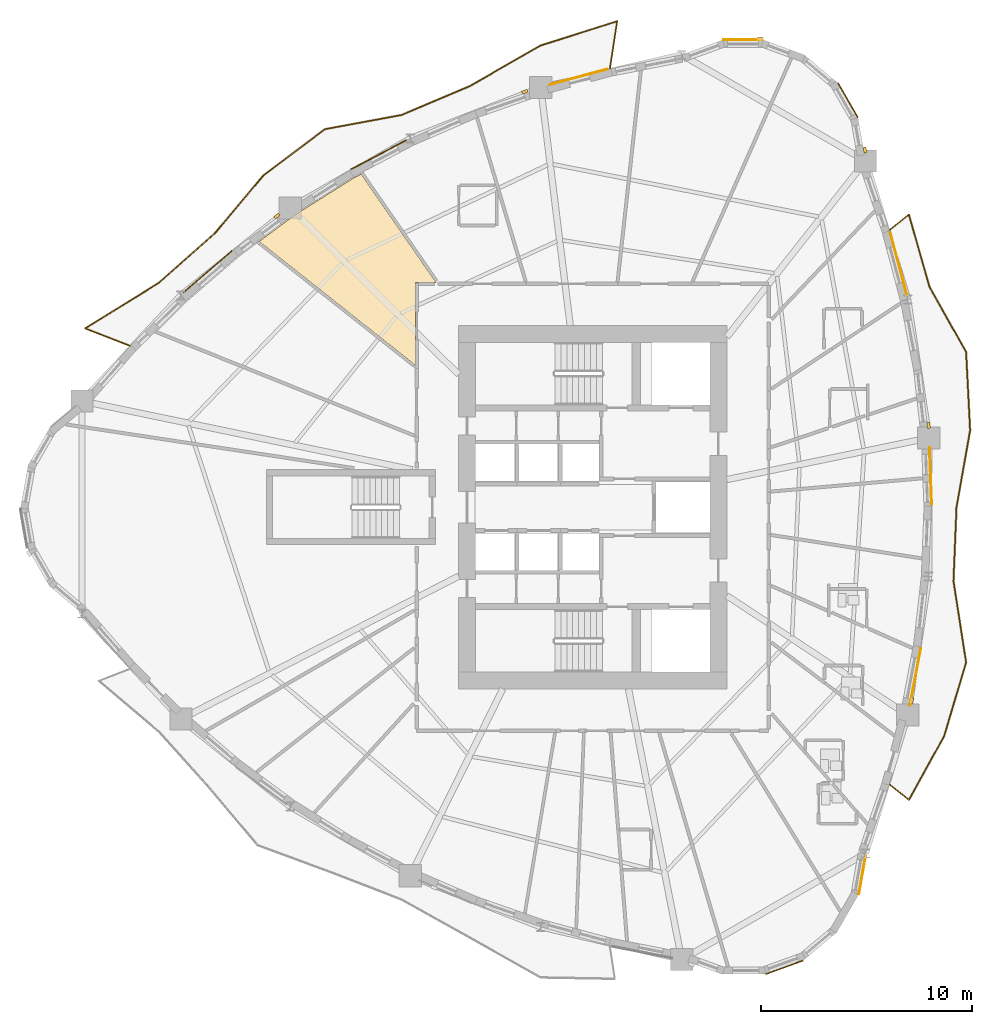
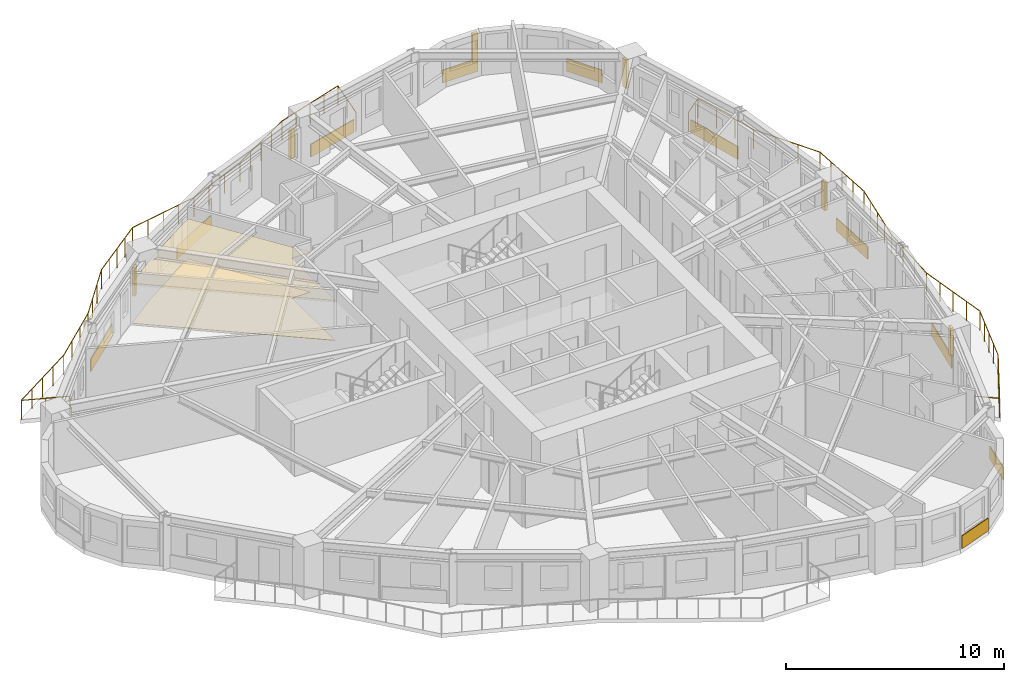
# One storey, part 12 of 13: 12 coverings, 6 shading devices, 2 railings.
"""IFC4 building model written with IfcOpenShell, lengths in metres."""

from ifc_helpers import new_model, si_unit, direction, frame, origin, origin_2d, place, context, subcontext, project, spatial, polyline, rectangle, circle, outline, extrude, source, transform, mapped, material, layer, layer_set, type_object, element, save


model = new_model("IFC4")

# Units and contexts
model_context = context("Model", 3, precision=1e-05, world=origin(), true_north=direction((0.0, 1.0)))
body_context = subcontext(model_context, "Body", "Model", "MODEL_VIEW")
ifc_project = project(units=[si_unit("LENGTHUNIT", "METRE"), si_unit("AREAUNIT", "SQUARE_METRE"), si_unit("VOLUMEUNIT", "CUBIC_METRE"), si_unit("PLANEANGLEUNIT", "RADIAN"), si_unit("MASSUNIT", "GRAM", prefix="KILO")], contexts=[model_context])

# Site, building, storey
site_placement = place(None, origin())
site = spatial("IfcSite", under=ifc_project, at=site_placement, CompositionType="ELEMENT")
building_placement = place(site_placement, origin())
building = spatial("IfcBuilding", under=site, at=building_placement, Name="Qafzar Sky-Pleat Residences", CompositionType="ELEMENT")
storey_placement = place(building_placement, frame((0.0, 0.0, 55.800048828125)))
storey = spatial("IfcBuildingStorey", under=building, at=storey_placement, Name="L16", CompositionType="ELEMENT", Elevation=55.800048828125)

# Coverings
ifc_material_1 = material(Name="Perforated acoustic gypsum board ceiling")
ifc_layer_1 = layer(ifc_material_1, 0.02001953125)
ifc_layer_set_1 = layer_set([ifc_layer_1], Name="Perforated acoustic gypsum board ceiling")
covering_type_1 = type_object("IfcCoveringType", Name="COV-CEIL-ACOUSTIC", PredefinedType="CEILING", material=ifc_layer_set_1)
covering_1_placement = place(storey_placement, frame((0.0, 0.0, 2.239990234375)))
element("IfcCovering", 1, at=covering_1_placement, inside=storey, type_object=covering_type_1, Name="L16 Communal Kitchen Acoustic Ceiling", PredefinedType="CEILING", context=body_context, shape_type="SweptSolid", body=[
    extrude(outline(polyline([(19.01171875, 41.56787109375), (19.388427734375, 41.7666015625), (22.92919921875, 36.639892578125), (21.9599609375, 36.639892578125), (21.9599609375, 32.721435546875), (14.5625, 38.580078125), (16.260986328125, 39.837158203125), (19.01171875, 41.56787109375)])), origin(), (0.0, 0.0, 1.0), 0.02001953125),
])
ifc_material_2 = material(Name="Honed porcelain and Riyadh stone tile flooring", Category="masonry")
ifc_layer_2 = layer(ifc_material_2, 0.02001953125)
ifc_layer_set_2 = layer_set([ifc_layer_2], Name="Honed porcelain and Riyadh stone tile flooring")
covering_type_2 = type_object("IfcCoveringType", Name="COV-FLR-PORCELAIN", PredefinedType="FLOORING", material=ifc_layer_set_2)
covering_2_placement = place(storey_placement, origin())
element("IfcCovering", 2, at=covering_2_placement, inside=storey, type_object=covering_type_2, Name="L16 Communal Kitchen Honed Stone Flooring", PredefinedType="FLOORING", context=body_context, shape_type="SweptSolid", body=[
    extrude(outline(polyline([(19.01171875, 41.56787109375), (19.388427734375, 41.7666015625), (22.92919921875, 36.639892578125), (21.9599609375, 36.639892578125), (21.9599609375, 32.721435546875), (14.5625, 38.580078125), (16.260986328125, 39.837158203125), (19.01171875, 41.56787109375)])), origin(), (0.0, 0.0, 1.0), 0.02001953125),
])

# Shading devices
ifc_material_3 = material(Name="Honed Riyadh limestone solar fin", Category="masonry")
ifc_layer_3 = layer(ifc_material_3, 0.139892578125)
ifc_layer_set_3 = layer_set([ifc_layer_3], Name="Honed Riyadh limestone solar fin")
shading_device_type = type_object("IfcShadingDeviceType", Name="SHD-FIN-STONE", PredefinedType="SHUTTER", material=ifc_layer_set_3)
shared_shape_1 = source(origin(), body_context, "Body", "SweptSolid", [
    extrude(rectangle(XDim=0.139892578125, YDim=0.280029296875, at=origin_2d()), origin(), (0.0, 0.0, 1.0), 1.60009765625),
])
for number, where, z_axis, x_axis, name in (
    (3, (45.45068359375, 16.84619140625, 0.599853515625), (0.0, 0.0, 1.0), (0.982424506662, -0.186660356554, 0.0), "L16 Limestone Solar Fin 25"),
    (4, (46.24951171875, 29.873779296875, 0.599853515625), (0.0, 0.0, 1.0), (0.993563996012, 0.113272175877, 0.0), "L16 Limestone Solar Fin 29"),
    (5, (43.23681640625, 42.9091796875, 0.599853515625), (0.0, 0.0, 1.0), (0.984806040716, 0.173657888303, 0.0), "L16 Limestone Solar Fin 33"),
    (6, (38.267578125, 48.16650390625, 0.599853515625), (0.0, 0.0, 1.0), (0.0, 1.0, 0.0), "L16 Limestone Solar Fin 37"),
    (7, (27.13330078125, 45.665771484375, 0.599853515625), (0.0, 0.0, 1.0), (-0.329566646174, 0.944132313677, 0.0), "L16 Limestone Solar Fin 41"),
    (8, (15.4072265625, 39.78369140625, 0.599853515625), (0.0, 0.0, 1.0), (-0.594881001048, 0.803813781042, 0.0), "L16 Limestone Solar Fin 45"),
):
    element("IfcShadingDevice", number, at=place(storey_placement, frame(where, z_axis=z_axis, x_axis=x_axis)), inside=storey, type_object=shading_device_type, Name=name, PredefinedType="SHUTTER", context=body_context, shape_type="MappedRepresentation", body=[
        mapped(shared_shape_1, transform((0.0, 0.0, 0.0), x_axis=(1.0, 0.0, 0.0), y_axis=(0.0, 1.0, 0.0), z_axis=(0.0, 0.0, 1.0), scale=1.0)),
    ])

# Coverings
ifc_material_4 = material(Name="Honed Riyadh Tuwaiq limestone cladding", Category="masonry")
ifc_layer_4 = layer(ifc_material_4, 0.044921875)
ifc_layer_set_4 = layer_set([ifc_layer_4], Name="Honed Riyadh Tuwaiq limestone cladding")
covering_type_3 = type_object("IfcCoveringType", Name="COV-CLAD-STONE", PredefinedType="CLADDING", material=ifc_layer_set_4)
shared_shape_2 = source(origin(), body_context, "Body", "SweptSolid", [
    extrude(rectangle(XDim=1.88134765625, YDim=0.044921875, at=origin_2d()), origin(), (0.0, 0.0, 1.0), 0.719970703125),
])
for number, where, z_axis, x_axis, name in (
    (9, (42.42822265625, 45.25634765625, 0.02001953125), (0.0, 0.0, 1.0), (-0.499972303345, 0.866041393865, 0.0), "L16 Riyadh Limestone Spandrel Cladding 34"),
    (10, (37.46240234375, 48.123291015625, 0.02001953125), (0.0, 0.0, 1.0), (-1.0, 0.0, 0.0), "L16 Riyadh Limestone Spandrel Cladding 37"),
):
    element("IfcCovering", number, at=place(storey_placement, frame(where, z_axis=z_axis, x_axis=x_axis)), inside=storey, type_object=covering_type_3, Name=name, PredefinedType="CLADDING", context=body_context, shape_type="MappedRepresentation", body=[
        mapped(shared_shape_2, transform((0.0, 0.0, 0.0), x_axis=(1.0, 0.0, 0.0), y_axis=(0.0, 1.0, 0.0), z_axis=(0.0, 0.0, 1.0), scale=1.0)),
    ])
shared_shape_3 = source(origin(), body_context, "Body", "SweptSolid", [
    extrude(rectangle(XDim=1.8291015625, YDim=0.044921875, at=origin_2d()), origin(), (0.0, 0.0, 1.0), 0.719970703125),
])
covering_3_placement = place(storey_placement, frame((43.104248046875, 8.586181640625, 0.02001953125), z_axis=(0.0, 0.0, 1.0), x_axis=(0.17364778674, 0.984807821943, 0.0)))
element("IfcCovering", 11, at=covering_3_placement, inside=storey, type_object=covering_type_3, Name="L16 Riyadh Limestone Spandrel Cladding 22", PredefinedType="CLADDING", context=body_context, shape_type="MappedRepresentation", body=[
    mapped(shared_shape_3, transform((0.0, 0.0, 0.0), x_axis=(1.0, 0.0, 0.0), y_axis=(0.0, 1.0, 0.0), z_axis=(0.0, 0.0, 1.0), scale=1.0)),
])
shared_shape_4 = source(origin(), body_context, "Body", "SweptSolid", [
    extrude(rectangle(XDim=1.881103515625, YDim=0.044921875, at=origin_2d()), origin(), (0.0, 0.0, 1.0), 0.719970703125),
])
covering_4_placement = place(storey_placement, frame((39.423583984375, 4.222412109375, 0.02001953125), z_axis=(0.0, 0.0, 1.0), x_axis=(0.939715179222, 0.34195815817, 0.0)))
element("IfcCovering", 12, at=covering_4_placement, inside=storey, type_object=covering_type_3, Name="L16 Riyadh Limestone Spandrel Cladding 19", PredefinedType="CLADDING", context=body_context, shape_type="MappedRepresentation", body=[
    mapped(shared_shape_4, transform((0.0, 0.0, 0.0), x_axis=(1.0, 0.0, 0.0), y_axis=(0.0, 1.0, 0.0), z_axis=(0.0, 0.0, 1.0), scale=1.0)),
])

# Railings
ifc_material_5 = material(Name="Laminated glass and bronze steel balustrade", Category="steel")
railing_type = type_object("IfcRailingType", Name="RAIL-BAL-1100", PredefinedType="BALUSTRADE", material=ifc_material_5)
shared_shape_5 = source(origin(), body_context, "Body", "SweptSolid", [
    extrude(circle(Radius=0.02392578125, at=origin_2d()), frame((0.0, 0.0, 1.076171875), z_axis=(0.78082836269, -0.624745602641, 0.0), x_axis=(0.624745602641, 0.78082836269, 0.0)), (0.0, 0.0, 1.0), 1.177734375),
    extrude(circle(Radius=0.02392578125, at=origin_2d()), frame((0.919677734375, -0.73583984375, 1.076171875), z_axis=(0.482445951113, 0.87592574129, 0.0), x_axis=(-0.87592574129, 0.482445951113, 0.0)), (0.0, 0.0, 1.0), 3.4658203125),
    extrude(circle(Radius=0.02392578125, at=origin_2d()), frame((2.591796875, 2.300048828125, 1.076171875), z_axis=(0.28574875446, 0.958304570231, 0.0), x_axis=(-0.958304570231, 0.28574875446, 0.0)), (0.0, 0.0, 1.0), 3.628662109375),
    extrude(circle(Radius=0.02392578125, at=origin_2d()), frame((3.628662109375, 5.77734375, 1.076171875), z_axis=(-0.153444838689, 0.988157214961, 0.0), x_axis=(-0.988157214961, -0.153444838689, 0.0)), (0.0, 0.0, 1.0), 3.899658203125),
    extrude(circle(Radius=0.02392578125, at=origin_2d()), frame((3.0302734375, 9.630859375, 1.076171875), z_axis=(0.041048799191, 0.999157142838, 0.0), x_axis=(-0.999157142838, 0.041048799191, 0.0)), (0.0, 0.0, 1.0), 3.4912109375),
    extrude(circle(Radius=0.02392578125, at=origin_2d()), frame((3.173583984375, 13.119140625, 1.076171875), z_axis=(0.174775106939, 0.984608380014, 0.0), x_axis=(-0.984608380014, 0.174775106939, 0.0)), (0.0, 0.0, 1.0), 3.686279296875),
    extrude(circle(Radius=0.02392578125, at=origin_2d()), frame((3.81787109375, 16.748779296875, 1.076171875), z_axis=(-0.050903995541, 0.998703551229, 0.0), x_axis=(-0.998703551229, -0.050903995541, 0.0)), (0.0, 0.0, 1.0), 3.717041015625),
    extrude(circle(Radius=0.02392578125, at=origin_2d()), frame((3.628662109375, 20.4609375, 1.076171875), z_axis=(-0.490064464724, 0.871686193773, 0.0), x_axis=(-0.871686193773, -0.490064464724, 0.0)), (0.0, 0.0, 1.0), 3.53466796875),
    extrude(circle(Radius=0.02392578125, at=origin_2d()), frame((1.896484375, 23.5419921875, 1.076171875), z_axis=(-0.273736038503, 0.961804856104, 0.0), x_axis=(-0.961804856104, -0.273736038503, 0.0)), (0.0, 0.0, 1.0), 3.568359375),
    extrude(circle(Radius=0.02392578125, at=origin_2d()), frame((0.919677734375, 26.97412109375, 1.076171875), z_axis=(-0.78082836269, -0.624745602641, 0.0), x_axis=(0.624745602641, -0.78082836269, 0.0)), (0.0, 0.0, 1.0), 1.177734375),
    extrude(circle(Radius=0.02099609375, at=origin_2d()), origin(), (0.0, 0.0, 1.0), 1.052001953125),
    extrude(circle(Radius=0.02099609375, at=origin_2d()), frame((0.919677734375, -0.73583984375, 0.0)), (0.0, 0.0, 1.0), 1.052001953125),
    extrude(circle(Radius=0.02099609375, at=origin_2d()), frame((1.47705078125, 0.276123046875, 0.0)), (0.0, 0.0, 1.0), 1.052001953125),
    extrude(circle(Radius=0.02099609375, at=origin_2d()), frame((2.034423828125, 1.2880859375, 0.0)), (0.0, 0.0, 1.0), 1.052001953125),
    extrude(circle(Radius=0.02099609375, at=origin_2d()), frame((2.591796875, 2.300048828125, 0.0)), (0.0, 0.0, 1.0), 1.052001953125),
    extrude(circle(Radius=0.02099609375, at=origin_2d()), frame((2.85107421875, 3.16943359375, 0.0)), (0.0, 0.0, 1.0), 1.052001953125),
    extrude(circle(Radius=0.02099609375, at=origin_2d()), frame((3.1103515625, 4.03857421875, 0.0)), (0.0, 0.0, 1.0), 1.052001953125),
    extrude(circle(Radius=0.02099609375, at=origin_2d()), frame((3.369384765625, 4.907958984375, 0.0)), (0.0, 0.0, 1.0), 1.052001953125),
    extrude(circle(Radius=0.02099609375, at=origin_2d()), frame((3.628662109375, 5.77734375, 0.0)), (0.0, 0.0, 1.0), 1.052001953125),
    extrude(circle(Radius=0.02099609375, at=origin_2d()), frame((3.47900390625, 6.74072265625, 0.0)), (0.0, 0.0, 1.0), 1.052001953125),
    extrude(circle(Radius=0.02099609375, at=origin_2d()), frame((3.32958984375, 7.7041015625, 0.0)), (0.0, 0.0, 1.0), 1.052001953125),
    extrude(circle(Radius=0.02099609375, at=origin_2d()), frame((3.179931640625, 8.66748046875, 0.0)), (0.0, 0.0, 1.0), 1.052001953125),
    extrude(circle(Radius=0.02099609375, at=origin_2d()), frame((3.0302734375, 9.630859375, 0.0)), (0.0, 0.0, 1.0), 1.052001953125),
    extrude(circle(Radius=0.02099609375, at=origin_2d()), frame((3.078125, 10.793701171875, 0.0)), (0.0, 0.0, 1.0), 1.052001953125),
    extrude(circle(Radius=0.02099609375, at=origin_2d()), frame((3.125732421875, 11.956298828125, 0.0)), (0.0, 0.0, 1.0), 1.052001953125),
    extrude(circle(Radius=0.02099609375, at=origin_2d()), frame((3.173583984375, 13.119140625, 0.0)), (0.0, 0.0, 1.0), 1.052001953125),
    extrude(circle(Radius=0.02099609375, at=origin_2d()), frame((3.334716796875, 14.026611328125, 0.0)), (0.0, 0.0, 1.0), 1.052001953125),
    extrude(circle(Radius=0.02099609375, at=origin_2d()), frame((3.49560546875, 14.93408203125, 0.0)), (0.0, 0.0, 1.0), 1.052001953125),
    extrude(circle(Radius=0.02099609375, at=origin_2d()), frame((3.65673828125, 15.84130859375, 0.0)), (0.0, 0.0, 1.0), 1.052001953125),
    extrude(circle(Radius=0.02099609375, at=origin_2d()), frame((3.81787109375, 16.748779296875, 0.0)), (0.0, 0.0, 1.0), 1.052001953125),
    extrude(circle(Radius=0.02099609375, at=origin_2d()), frame((3.7705078125, 17.6767578125, 0.0)), (0.0, 0.0, 1.0), 1.052001953125),
    extrude(circle(Radius=0.02099609375, at=origin_2d()), frame((3.72314453125, 18.60498046875, 0.0)), (0.0, 0.0, 1.0), 1.052001953125),
    extrude(circle(Radius=0.02099609375, at=origin_2d()), frame((3.676025390625, 19.532958984375, 0.0)), (0.0, 0.0, 1.0), 1.052001953125),
    extrude(circle(Radius=0.02099609375, at=origin_2d()), frame((3.628662109375, 20.4609375, 0.0)), (0.0, 0.0, 1.0), 1.052001953125),
    extrude(circle(Radius=0.02099609375, at=origin_2d()), frame((3.05126953125, 21.488037109375, 0.0)), (0.0, 0.0, 1.0), 1.052001953125),
    extrude(circle(Radius=0.02099609375, at=origin_2d()), frame((2.473876953125, 22.514892578125, 0.0)), (0.0, 0.0, 1.0), 1.052001953125),
    extrude(circle(Radius=0.02099609375, at=origin_2d()), frame((1.896484375, 23.5419921875, 0.0)), (0.0, 0.0, 1.0), 1.052001953125),
    extrude(circle(Radius=0.02099609375, at=origin_2d()), frame((1.57080078125, 24.68603515625, 0.0)), (0.0, 0.0, 1.0), 1.052001953125),
    extrude(circle(Radius=0.02099609375, at=origin_2d()), frame((1.245361328125, 25.830078125, 0.0)), (0.0, 0.0, 1.0), 1.052001953125),
    extrude(circle(Radius=0.02099609375, at=origin_2d()), frame((0.919677734375, 26.97412109375, 0.0)), (0.0, 0.0, 1.0), 1.052001953125),
    extrude(circle(Radius=0.02099609375, at=origin_2d()), frame((0.0, 26.23828125, 0.0)), (0.0, 0.0, 1.0), 1.052001953125),
])
railing_1_placement = place(storey_placement, frame((44.392822265625, 12.880859375, 0.0)))
element("IfcRailing", 13, at=railing_1_placement, inside=storey, type_object=railing_type, Name="L16 Pleated Balcony 1 Balustrade", PredefinedType="BALUSTRADE", context=body_context, shape_type="MappedRepresentation", body=[
    mapped(shared_shape_5, transform((0.0, 0.0, 0.0), x_axis=(1.0, 0.0, 0.0), y_axis=(0.0, 1.0, 0.0), z_axis=(0.0, 0.0, 1.0), scale=1.0)),
])
shared_shape_6 = source(origin(), body_context, "Body", "SweptSolid", [
    extrude(circle(Radius=0.02392578125, at=origin_2d()), frame((0.0, 0.0, 1.076171875), z_axis=(0.150732099633, 0.988574647733, 0.0), x_axis=(-0.988574647733, 0.150732099633, 0.0)), (0.0, 0.0, 1.0), 2.270751953125),
    extrude(circle(Radius=0.02392578125, at=origin_2d()), frame((0.34228515625, 2.244873046875, 1.076171875), z_axis=(-0.953259465773, -0.30215292637, 0.0), x_axis=(0.30215292637, -0.953259465773, 0.0)), (0.0, 0.0, 1.0), 3.80810546875),
    extrude(circle(Radius=0.02392578125, at=origin_2d()), frame((-3.287841796875, 1.09423828125, 1.076171875), z_axis=(-0.867434909389, -0.497550678799, 0.0), x_axis=(0.497550678799, -0.867434909389, 0.0)), (0.0, 0.0, 1.0), 3.853271484375),
    extrude(circle(Radius=0.02392578125, at=origin_2d()), frame((-6.63037109375, -0.822998046875, 1.076171875), z_axis=(-0.920598483559, -0.39051047626, 0.0), x_axis=(0.39051047626, -0.920598483559, 0.0)), (0.0, 0.0, 1.0), 3.50341796875),
    extrude(circle(Radius=0.02392578125, at=origin_2d()), frame((-9.855712890625, -2.191162109375, 1.076171875), z_axis=(-0.983284192251, -0.182077448548, 0.0), x_axis=(0.182077448548, -0.983284192251, 0.0)), (0.0, 0.0, 1.0), 3.70068359375),
    extrude(circle(Radius=0.02392578125, at=origin_2d()), frame((-13.49462890625, -2.864990234375, 1.076171875), z_axis=(-0.798161897341, -0.602443014427, 0.0), x_axis=(0.602443014427, -0.798161897341, 0.0)), (0.0, 0.0, 1.0), 3.657470703125),
    extrude(circle(Radius=0.02392578125, at=origin_2d()), frame((-16.413818359375, -5.068359375, 1.076171875), z_axis=(-0.642575797394, -0.766222124846, 0.0), x_axis=(0.766222124846, -0.642575797394, 0.0)), (0.0, 0.0, 1.0), 3.550048828125),
    extrude(circle(Radius=0.02392578125, at=origin_2d()), frame((-18.695068359375, -7.78857421875, 1.076171875), z_axis=(-0.748473372948, -0.663164843752, 0.0), x_axis=(0.663164843752, -0.748473372948, 0.0)), (0.0, 0.0, 1.0), 3.528564453125),
    extrude(circle(Radius=0.02392578125, at=origin_2d()), frame((-21.336181640625, -10.128662109375, 1.076171875), z_axis=(-0.850626396128, -0.525770609877, 0.0), x_axis=(0.525770609877, -0.850626396128, 0.0)), (0.0, 0.0, 1.0), 4.116943359375),
    extrude(circle(Radius=0.02392578125, at=origin_2d()), frame((-24.838134765625, -12.293212890625, 1.076171875), z_axis=(0.931493217147, -0.363758692555, 0.0), x_axis=(0.363758692555, 0.931493217147, 0.0)), (0.0, 0.0, 1.0), 2.2705078125),
    extrude(circle(Radius=0.02099609375, at=origin_2d()), origin(), (0.0, 0.0, 1.0), 1.052001953125),
    extrude(circle(Radius=0.02099609375, at=origin_2d()), frame((0.171142578125, 1.12255859375, 0.0)), (0.0, 0.0, 1.0), 1.052001953125),
    extrude(circle(Radius=0.02099609375, at=origin_2d()), frame((0.34228515625, 2.244873046875, 0.0)), (0.0, 0.0, 1.0), 1.052001953125),
    extrude(circle(Radius=0.02099609375, at=origin_2d()), frame((-0.565185546875, 1.957275390625, 0.0)), (0.0, 0.0, 1.0), 1.052001953125),
    extrude(circle(Radius=0.02099609375, at=origin_2d()), frame((-1.47265625, 1.66943359375, 0.0)), (0.0, 0.0, 1.0), 1.052001953125),
    extrude(circle(Radius=0.02099609375, at=origin_2d()), frame((-2.38037109375, 1.3818359375, 0.0)), (0.0, 0.0, 1.0), 1.052001953125),
    extrude(circle(Radius=0.02099609375, at=origin_2d()), frame((-3.287841796875, 1.09423828125, 0.0)), (0.0, 0.0, 1.0), 1.052001953125),
    extrude(circle(Radius=0.02099609375, at=origin_2d()), frame((-4.12353515625, 0.614990234375, 0.0)), (0.0, 0.0, 1.0), 1.052001953125),
    extrude(circle(Radius=0.02099609375, at=origin_2d()), frame((-4.958984375, 0.1357421875, 0.0)), (0.0, 0.0, 1.0), 1.052001953125),
    extrude(circle(Radius=0.02099609375, at=origin_2d()), frame((-5.794677734375, -0.34375, 0.0)), (0.0, 0.0, 1.0), 1.052001953125),
    extrude(circle(Radius=0.02099609375, at=origin_2d()), frame((-6.63037109375, -0.822998046875, 0.0)), (0.0, 0.0, 1.0), 1.052001953125),
    extrude(circle(Radius=0.02099609375, at=origin_2d()), frame((-7.70556640625, -1.279052734375, 0.0)), (0.0, 0.0, 1.0), 1.052001953125),
    extrude(circle(Radius=0.02099609375, at=origin_2d()), frame((-8.780517578125, -1.735107421875, 0.0)), (0.0, 0.0, 1.0), 1.052001953125),
    extrude(circle(Radius=0.02099609375, at=origin_2d()), frame((-9.855712890625, -2.191162109375, 0.0)), (0.0, 0.0, 1.0), 1.052001953125),
    extrude(circle(Radius=0.02099609375, at=origin_2d()), frame((-10.765380859375, -2.359619140625, 0.0)), (0.0, 0.0, 1.0), 1.052001953125),
    extrude(circle(Radius=0.02099609375, at=origin_2d()), frame((-11.67529296875, -2.528076171875, 0.0)), (0.0, 0.0, 1.0), 1.052001953125),
    extrude(circle(Radius=0.02099609375, at=origin_2d()), frame((-12.5849609375, -2.696533203125, 0.0)), (0.0, 0.0, 1.0), 1.052001953125),
    extrude(circle(Radius=0.02099609375, at=origin_2d()), frame((-13.49462890625, -2.864990234375, 0.0)), (0.0, 0.0, 1.0), 1.052001953125),
    extrude(circle(Radius=0.02099609375, at=origin_2d()), frame((-14.224365234375, -3.415771484375, 0.0)), (0.0, 0.0, 1.0), 1.052001953125),
    extrude(circle(Radius=0.02099609375, at=origin_2d()), frame((-14.9541015625, -3.966796875, 0.0)), (0.0, 0.0, 1.0), 1.052001953125),
    extrude(circle(Radius=0.02099609375, at=origin_2d()), frame((-15.68408203125, -4.517578125, 0.0)), (0.0, 0.0, 1.0), 1.052001953125),
    extrude(circle(Radius=0.02099609375, at=origin_2d()), frame((-16.413818359375, -5.068359375, 0.0)), (0.0, 0.0, 1.0), 1.052001953125),
    extrude(circle(Radius=0.02099609375, at=origin_2d()), frame((-17.17431640625, -5.97509765625, 0.0)), (0.0, 0.0, 1.0), 1.052001953125),
    extrude(circle(Radius=0.02099609375, at=origin_2d()), frame((-17.9345703125, -6.8818359375, 0.0)), (0.0, 0.0, 1.0), 1.052001953125),
    extrude(circle(Radius=0.02099609375, at=origin_2d()), frame((-18.695068359375, -7.78857421875, 0.0)), (0.0, 0.0, 1.0), 1.052001953125),
    extrude(circle(Radius=0.02099609375, at=origin_2d()), frame((-19.575439453125, -8.568603515625, 0.0)), (0.0, 0.0, 1.0), 1.052001953125),
    extrude(circle(Radius=0.02099609375, at=origin_2d()), frame((-20.455810546875, -9.3486328125, 0.0)), (0.0, 0.0, 1.0), 1.052001953125),
    extrude(circle(Radius=0.02099609375, at=origin_2d()), frame((-21.336181640625, -10.128662109375, 0.0)), (0.0, 0.0, 1.0), 1.052001953125),
    extrude(circle(Radius=0.02099609375, at=origin_2d()), frame((-22.211669921875, -10.669921875, 0.0)), (0.0, 0.0, 1.0), 1.052001953125),
    extrude(circle(Radius=0.02099609375, at=origin_2d()), frame((-23.087158203125, -11.2109375, 0.0)), (0.0, 0.0, 1.0), 1.052001953125),
    extrude(circle(Radius=0.02099609375, at=origin_2d()), frame((-23.962646484375, -11.751953125, 0.0)), (0.0, 0.0, 1.0), 1.052001953125),
    extrude(circle(Radius=0.02099609375, at=origin_2d()), frame((-24.838134765625, -12.293212890625, 0.0)), (0.0, 0.0, 1.0), 1.052001953125),
    extrude(circle(Radius=0.02099609375, at=origin_2d()), frame((-23.78076171875, -12.7060546875, 0.0)), (0.0, 0.0, 1.0), 1.052001953125),
    extrude(circle(Radius=0.02099609375, at=origin_2d()), frame((-22.72314453125, -13.119140625, 0.0)), (0.0, 0.0, 1.0), 1.052001953125),
])
railing_2_placement = place(storey_placement, frame((31.1650390625, 46.75634765625, 0.0)))
element("IfcRailing", 14, at=railing_2_placement, inside=storey, type_object=railing_type, Name="L16 Pleated Balcony 2 Balustrade", PredefinedType="BALUSTRADE", context=body_context, shape_type="MappedRepresentation", body=[
    mapped(shared_shape_6, transform((0.0, 0.0, 0.0), x_axis=(1.0, 0.0, 0.0), y_axis=(0.0, 1.0, 0.0), z_axis=(0.0, 0.0, 1.0), scale=1.0)),
])

# Coverings
shared_shape_7 = source(origin(), body_context, "Body", "SweptSolid", [
    extrude(rectangle(XDim=2.76708984375, YDim=0.044921875, at=origin_2d()), origin(), (0.0, 0.0, 1.0), 0.719970703125),
])
covering_5_placement = place(storey_placement, frame((45.6201171875, 17.96728515625, 0.02001953125), z_axis=(0.0, 0.0, 1.0), x_axis=(0.186662215428, 0.982424153475, 0.0)))
element("IfcCovering", 15, at=covering_5_placement, inside=storey, type_object=covering_type_3, Name="L16 Riyadh Limestone Spandrel Cladding 25", PredefinedType="CLADDING", context=body_context, shape_type="MappedRepresentation", body=[
    mapped(shared_shape_7, transform((0.0, 0.0, 0.0), x_axis=(1.0, 0.0, 0.0), y_axis=(0.0, 1.0, 0.0), z_axis=(0.0, 0.0, 1.0), scale=1.0)),
])
shared_shape_8 = source(origin(), body_context, "Body", "SweptSolid", [
    extrude(rectangle(XDim=2.71630859375, YDim=0.044921875, at=origin_2d()), origin(), (0.0, 0.0, 1.0), 0.719970703125),
])
covering_6_placement = place(storey_placement, frame((46.3427734375, 27.470947265625, 0.02001953125), z_axis=(0.0, 0.0, 1.0), x_axis=(-0.037968689793, 0.999278929326, 0.0)))
element("IfcCovering", 16, at=covering_6_placement, inside=storey, type_object=covering_type_3, Name="L16 Riyadh Limestone Spandrel Cladding 28", PredefinedType="CLADDING", context=body_context, shape_type="MappedRepresentation", body=[
    mapped(shared_shape_8, transform((0.0, 0.0, 0.0), x_axis=(1.0, 0.0, 0.0), y_axis=(0.0, 1.0, 0.0), z_axis=(0.0, 0.0, 1.0), scale=1.0)),
])
shared_shape_9 = source(origin(), body_context, "Body", "SweptSolid", [
    extrude(rectangle(XDim=3.06884765625, YDim=0.044921875, at=origin_2d()), origin(), (0.0, 0.0, 1.0), 0.719970703125),
])
covering_7_placement = place(storey_placement, frame((44.833251953125, 37.50634765625, 0.02001953125), z_axis=(0.0, 0.0, 1.0), x_axis=(-0.257074858868, 0.966391492584, 0.0)))
element("IfcCovering", 17, at=covering_7_placement, inside=storey, type_object=covering_type_3, Name="L16 Riyadh Limestone Spandrel Cladding 31", PredefinedType="CLADDING", context=body_context, shape_type="MappedRepresentation", body=[
    mapped(shared_shape_9, transform((0.0, 0.0, 0.0), x_axis=(1.0, 0.0, 0.0), y_axis=(0.0, 1.0, 0.0), z_axis=(0.0, 0.0, 1.0), scale=1.0)),
])
shared_shape_10 = source(origin(), body_context, "Body", "SweptSolid", [
    extrude(rectangle(XDim=2.81689453125, YDim=0.044921875, at=origin_2d()), origin(), (0.0, 0.0, 1.0), 0.719970703125),
])
covering_8_placement = place(storey_placement, frame((29.683349609375, 46.36767578125, 0.02001953125), z_axis=(0.0, 0.0, 1.0), x_axis=(-0.965452073914, -0.260580684195, 0.0)))
element("IfcCovering", 18, at=covering_8_placement, inside=storey, type_object=covering_type_3, Name="L16 Riyadh Limestone Spandrel Cladding 40", PredefinedType="CLADDING", context=body_context, shape_type="MappedRepresentation", body=[
    mapped(shared_shape_10, transform((0.0, 0.0, 0.0), x_axis=(1.0, 0.0, 0.0), y_axis=(0.0, 1.0, 0.0), z_axis=(0.0, 0.0, 1.0), scale=1.0)),
])
shared_shape_11 = source(origin(), body_context, "Body", "SweptSolid", [
    extrude(rectangle(XDim=2.968505859375, YDim=0.044921875, at=origin_2d()), origin(), (0.0, 0.0, 1.0), 0.719970703125),
])
covering_9_placement = place(storey_placement, frame((20.226318359375, 42.68603515625, 0.02001953125), z_axis=(0.0, 0.0, 1.0), x_axis=(-0.884388229284, -0.466752032566, 0.0)))
element("IfcCovering", 19, at=covering_9_placement, inside=storey, type_object=covering_type_3, Name="L16 Riyadh Limestone Spandrel Cladding 43", PredefinedType="CLADDING", context=body_context, shape_type="MappedRepresentation", body=[
    mapped(shared_shape_11, transform((0.0, 0.0, 0.0), x_axis=(1.0, 0.0, 0.0), y_axis=(0.0, 1.0, 0.0), z_axis=(0.0, 0.0, 1.0), scale=1.0)),
])
shared_shape_12 = source(origin(), body_context, "Body", "SweptSolid", [
    extrude(rectangle(XDim=3.01904296875, YDim=0.044921875, at=origin_2d()), origin(), (0.0, 0.0, 1.0), 0.719970703125),
])
covering_10_placement = place(storey_placement, frame((12.127197265625, 37.151611328125, 0.02001953125), z_axis=(0.0, 0.0, 1.0), x_axis=(-0.757486211269, -0.65285116201, 0.0)))
element("IfcCovering", 20, at=covering_10_placement, inside=storey, type_object=covering_type_3, Name="L16 Riyadh Limestone Spandrel Cladding 46", PredefinedType="CLADDING", context=body_context, shape_type="MappedRepresentation", body=[
    mapped(shared_shape_12, transform((0.0, 0.0, 0.0), x_axis=(1.0, 0.0, 0.0), y_axis=(0.0, 1.0, 0.0), z_axis=(0.0, 0.0, 1.0), scale=1.0)),
])

save(model, "model.ifc")
